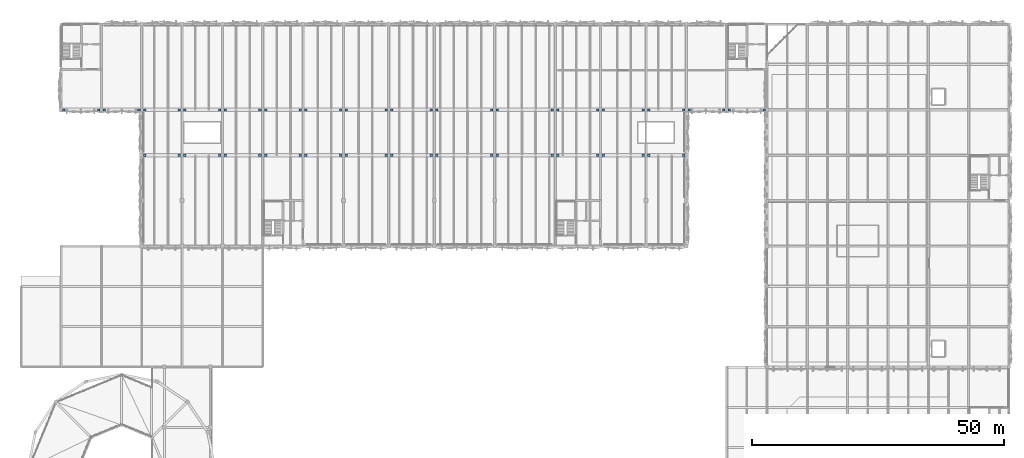
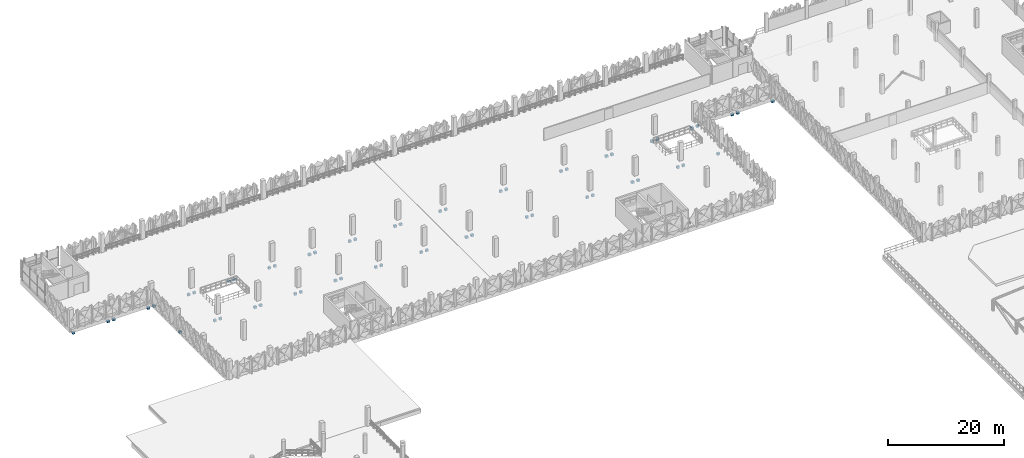
# One storey, part 51 of 76: 56 discrete accessories.
"""IFC4 building model written with IfcOpenShell, lengths in metres."""

from ifc_helpers import new_model, si_unit, derived_unit, direction, frame, origin, origin_2d, place, context, subcontext, project, spatial, rectangle, extrude, material, type_object, element, save


model = new_model("IFC4")

# Units and contexts
model_context = context("Model", 3, precision=1e-05, world=origin(), true_north=direction((0.0, 1.0)))
body_context = subcontext(model_context, "Body", "Model", "MODEL_VIEW")
ifc_project = project(units=[si_unit("LENGTHUNIT", "METRE"), si_unit("AREAUNIT", "SQUARE_METRE"), si_unit("VOLUMEUNIT", "CUBIC_METRE"), si_unit("PLANEANGLEUNIT", "RADIAN"), si_unit("MASSUNIT", "GRAM", prefix="KILO"), si_unit("THERMODYNAMICTEMPERATUREUNIT", "KELVIN"), derived_unit("THERMALTRANSMITTANCEUNIT", [(si_unit("POWERUNIT", "WATT"), 1), (si_unit("AREAUNIT", "SQUARE_METRE"), -1), (si_unit("THERMODYNAMICTEMPERATUREUNIT", "KELVIN"), -1)])], contexts=[model_context])

# Site, building, storey
site_placement = place(None, origin())
site = spatial("IfcSite", under=ifc_project, at=site_placement, CompositionType="ELEMENT")
building_placement = place(site_placement, origin())
building = spatial("IfcBuilding", under=site, at=building_placement, Name="Haiyu Intermodal Mobility Hub", CompositionType="ELEMENT")
storey_placement = place(building_placement, frame((0.0, 0.0, 17.300048828125)))
storey = spatial("IfcBuildingStorey", under=building, at=storey_placement, Name="L04", CompositionType="ELEMENT", Elevation=17.300048828125)

# Discrete accessories
ifc_material = material(Name="Precast concrete C50", Category="concrete")
discrete_accessory_type = type_object("IfcDiscreteAccessoryType", Name="ACC-BK01", PredefinedType="BRACKET", material=ifc_material)
for number, where, z_axis, x_axis, name in (
    (1, (38.550048828125, 122.0, -1.544921875), (0.0, 0.0, 1.0), (1.0, 0.0, 0.0), "BRK-IT-0177"),
    (2, (45.449951171875, 122.0, -1.544921875), (0.0, 0.0, 1.0), (1.0, 0.0, 0.0), "BRK-IT-0178"),
    (3, (46.550048828125, 122.0, -1.544921875), (0.0, 0.0, 1.0), (1.0, 0.0, 0.0), "BRK-IT-0179"),
    (4, (53.449951171875, 122.0, -1.544921875), (0.0, 0.0, 1.0), (1.0, 0.0, 0.0), "BRK-IT-0180"),
    (5, (54.550048828125, 122.0, -1.544921875), (0.0, 0.0, 1.0), (1.0, 0.0, 0.0), "BRK-IT-0181"),
    (6, (61.449951171875, 122.0, -1.544921875), (0.0, 0.0, 1.0), (1.0, 0.0, 0.0), "BRK-IT-0182"),
    (7, (62.550048828125, 122.0, -1.544921875), (0.0, 0.0, 1.0), (1.0, 0.0, 0.0), "BRK-IT-0183"),
    (8, (69.449951171875, 122.0, -1.544921875), (0.0, 0.0, 1.0), (1.0, 0.0, 0.0), "BRK-IT-0184"),
    (9, (70.550048828125, 122.0, -1.544921875), (0.0, 0.0, 1.0), (1.0, 0.0, 0.0), "BRK-IT-0185"),
    (10, (77.449951171875, 122.0, -1.544921875), (0.0, 0.0, 1.0), (1.0, 0.0, 0.0), "BRK-IT-0186"),
    (11, (78.550048828125, 122.0, -1.544921875), (0.0, 0.0, 1.0), (1.0, 0.0, 0.0), "BRK-IT-0187"),
    (12, (86.449951171875, 122.0, -1.544921875), (0.0, 0.0, 1.0), (1.0, 0.0, 0.0), "BRK-IT-0188"),
    (13, (87.550048828125, 122.0, -1.544921875), (0.0, 0.0, 1.0), (1.0, 0.0, 0.0), "BRK-IT-0189"),
    (14, (95.449951171875, 122.0, -1.544921875), (0.0, 0.0, 1.0), (1.0, 0.0, 0.0), "BRK-IT-0190"),
    (15, (96.550048828125, 122.0, -1.544921875), (0.0, 0.0, 1.0), (1.0, 0.0, 0.0), "BRK-IT-0191"),
    (16, (107.449951171875, 122.0, -1.544921875), (0.0, 0.0, 1.0), (1.0, 0.0, 0.0), "BRK-IT-0192"),
    (17, (108.550048828125, 122.0, -1.544921875), (0.0, 0.0, 1.0), (1.0, 0.0, 0.0), "BRK-IT-0193"),
    (18, (119.449951171875, 122.0, -1.544921875), (0.0, 0.0, 1.0), (1.0, 0.0, 0.0), "BRK-IT-0194"),
    (19, (120.550048828125, 122.0, -1.544921875), (0.0, 0.0, 1.0), (1.0, 0.0, 0.0), "BRK-IT-0195"),
    (20, (128.449951171875, 122.0, -1.544921875), (0.0, 0.0, 1.0), (1.0, 0.0, 0.0), "BRK-IT-0196"),
    (21, (129.550048828125, 122.0, -1.544921875), (0.0, 0.0, 1.0), (1.0, 0.0, 0.0), "BRK-IT-0197"),
    (22, (137.449951171875, 122.0, -1.544921875), (0.0, 0.0, 1.0), (1.0, 0.0, 0.0), "BRK-IT-0198"),
    (23, (138.550048828125, 122.0, -1.544921875), (0.0, 0.0, 1.0), (1.0, 0.0, 0.0), "BRK-IT-0199"),
    (24, (145.449951171875, 122.0, -1.544921875), (0.0, 0.0, 1.0), (1.0, 0.0, 0.0), "BRK-IT-0200"),
    (25, (22.550048828125, 131.0, -1.544921875), (0.0, 0.0, 1.0), (1.0, 0.0, 0.0), "BRK-IT-0201"),
    (26, (29.449951171875, 131.0, -1.544921875), (0.0, 0.0, 1.0), (1.0, 0.0, 0.0), "BRK-IT-0202"),
    (27, (30.550048828125, 131.0, -1.544921875), (0.0, 0.0, 1.0), (1.0, 0.0, 0.0), "BRK-IT-0203"),
    (28, (37.449951171875, 131.0, -1.544921875), (0.0, 0.0, 1.0), (1.0, 0.0, 0.0), "BRK-IT-0204"),
    (29, (38.550048828125, 131.0, -1.544921875), (0.0, 0.0, 1.0), (1.0, 0.0, 0.0), "BRK-IT-0205"),
    (30, (45.449951171875, 131.0, -1.544921875), (0.0, 0.0, 1.0), (1.0, 0.0, 0.0), "BRK-IT-0206"),
    (31, (46.550048828125, 131.0, -1.544921875), (0.0, 0.0, 1.0), (1.0, 0.0, 0.0), "BRK-IT-0207"),
    (32, (53.449951171875, 131.0, -1.544921875), (0.0, 0.0, 1.0), (1.0, 0.0, 0.0), "BRK-IT-0208"),
    (33, (54.550048828125, 131.0, -1.544921875), (0.0, 0.0, 1.0), (1.0, 0.0, 0.0), "BRK-IT-0209"),
    (34, (61.449951171875, 131.0, -1.544921875), (0.0, 0.0, 1.0), (1.0, 0.0, 0.0), "BRK-IT-0210"),
    (35, (62.550048828125, 131.0, -1.544921875), (0.0, 0.0, 1.0), (1.0, 0.0, 0.0), "BRK-IT-0211"),
    (36, (69.449951171875, 131.0, -1.544921875), (0.0, 0.0, 1.0), (1.0, 0.0, 0.0), "BRK-IT-0212"),
    (37, (70.550048828125, 131.0, -1.544921875), (0.0, 0.0, 1.0), (1.0, 0.0, 0.0), "BRK-IT-0213"),
    (38, (77.449951171875, 131.0, -1.544921875), (0.0, 0.0, 1.0), (1.0, 0.0, 0.0), "BRK-IT-0214"),
    (39, (78.550048828125, 131.0, -1.544921875), (0.0, 0.0, 1.0), (1.0, 0.0, 0.0), "BRK-IT-0215"),
    (40, (86.449951171875, 131.0, -1.544921875), (0.0, 0.0, 1.0), (1.0, 0.0, 0.0), "BRK-IT-0216"),
    (41, (87.550048828125, 131.0, -1.544921875), (0.0, 0.0, 1.0), (1.0, 0.0, 0.0), "BRK-IT-0217"),
    (42, (95.449951171875, 131.0, -1.544921875), (0.0, 0.0, 1.0), (1.0, 0.0, 0.0), "BRK-IT-0218"),
    (43, (96.550048828125, 131.0, -1.544921875), (0.0, 0.0, 1.0), (1.0, 0.0, 0.0), "BRK-IT-0219"),
    (44, (107.449951171875, 131.0, -1.544921875), (0.0, 0.0, 1.0), (1.0, 0.0, 0.0), "BRK-IT-0220"),
    (45, (108.550048828125, 131.0, -1.544921875), (0.0, 0.0, 1.0), (1.0, 0.0, 0.0), "BRK-IT-0221"),
    (46, (119.449951171875, 131.0, -1.544921875), (0.0, 0.0, 1.0), (1.0, 0.0, 0.0), "BRK-IT-0222"),
    (47, (120.550048828125, 131.0, -1.544921875), (0.0, 0.0, 1.0), (1.0, 0.0, 0.0), "BRK-IT-0223"),
    (48, (128.449951171875, 131.0, -1.544921875), (0.0, 0.0, 1.0), (1.0, 0.0, 0.0), "BRK-IT-0224"),
    (49, (129.550048828125, 131.0, -1.544921875), (0.0, 0.0, 1.0), (1.0, 0.0, 0.0), "BRK-IT-0225"),
    (50, (137.449951171875, 131.0, -1.544921875), (0.0, 0.0, 1.0), (1.0, 0.0, 0.0), "BRK-IT-0226"),
    (51, (138.550048828125, 131.0, -1.544921875), (0.0, 0.0, 1.0), (1.0, 0.0, 0.0), "BRK-IT-0227"),
    (52, (145.449951171875, 131.0, -1.544921875), (0.0, 0.0, 1.0), (1.0, 0.0, 0.0), "BRK-IT-0228"),
    (53, (146.550048828125, 131.0, -1.544921875), (0.0, 0.0, 1.0), (1.0, 0.0, 0.0), "BRK-IT-0229"),
    (54, (153.449951171875, 131.0, -1.544921875), (0.0, 0.0, 1.0), (1.0, 0.0, 0.0), "BRK-IT-0230"),
    (55, (154.550048828125, 131.0, -1.544921875), (0.0, 0.0, 1.0), (1.0, 0.0, 0.0), "BRK-IT-0231"),
    (56, (161.449951171875, 131.0, -1.544921875), (0.0, 0.0, 1.0), (1.0, 0.0, 0.0), "BRK-IT-0232"),
):
    element("IfcDiscreteAccessory", number, at=place(storey_placement, frame(where, z_axis=z_axis, x_axis=x_axis)), inside=storey, type_object=discrete_accessory_type, Name=name, PredefinedType="BRACKET", context=body_context, shape_type="SweptSolid", body=[
        extrude(rectangle(XDim=0.5, YDim=0.419921875, at=origin_2d()), origin(), (0.0, 0.0, 1.0), 0.449951171875),
    ])

save(model, "model.ifc")
